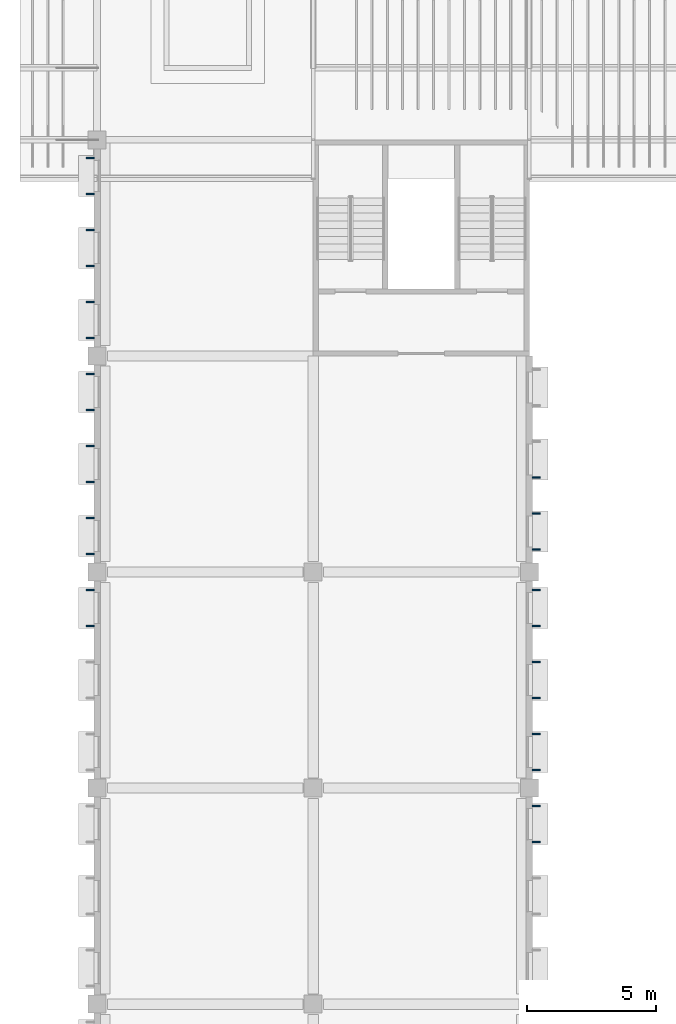
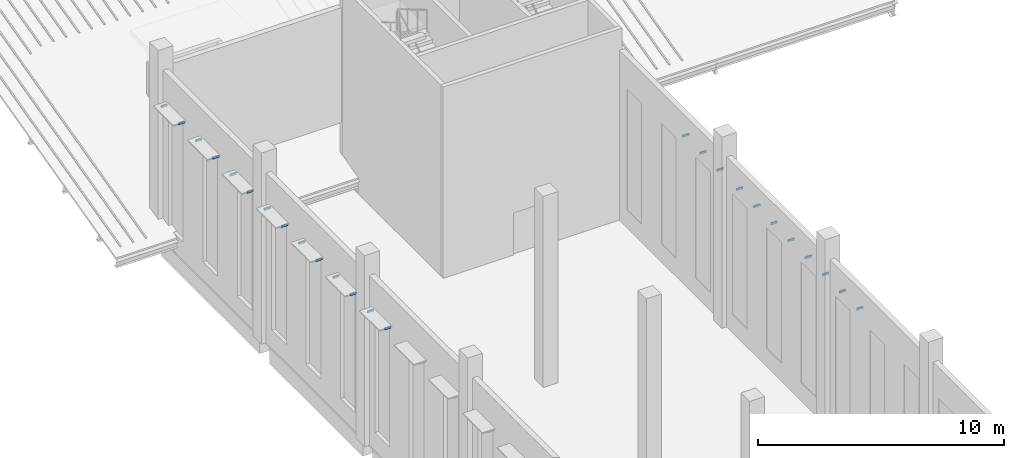
# One storey, part 63 of 114: 25 discrete accessories.
"""IFC4 building model written with IfcOpenShell, lengths in metres."""

from ifc_helpers import new_model, si_unit, direction, frame, origin, origin_2d, place, context, subcontext, project, spatial, rectangle, extrude, material, type_object, element, save


model = new_model("IFC4")

# Units and contexts
model_context = context("Model", 3, precision=1e-05, world=origin(), true_north=direction((0.0, 1.0)))
body_context = subcontext(model_context, "Body", "Model", "MODEL_VIEW")
ifc_project = project(units=[si_unit("LENGTHUNIT", "METRE"), si_unit("AREAUNIT", "SQUARE_METRE"), si_unit("VOLUMEUNIT", "CUBIC_METRE"), si_unit("PLANEANGLEUNIT", "RADIAN"), si_unit("MASSUNIT", "GRAM", prefix="KILO")], contexts=[model_context])

# Site, building, storey
site_placement = place(None, origin())
site = spatial("IfcSite", under=ifc_project, at=site_placement, CompositionType="ELEMENT")
building_placement = place(site_placement, origin())
building = spatial("IfcBuilding", under=site, at=building_placement, Name="Almond Square Museum", CompositionType="ELEMENT")
storey_placement = place(building_placement, frame((0.0, 0.0, 10.5)))
storey = spatial("IfcBuildingStorey", under=building, at=storey_placement, Name="L02", CompositionType="ELEMENT", Elevation=10.5)

# Discrete accessories
ifc_material = material(Name="Stainless steel", Category="steel")
discrete_accessory_type = type_object("IfcDiscreteAccessoryType", Name="Sun-shade blade bracket", PredefinedType="BRACKET", material=ifc_material)
for number, where, z_axis, x_axis, name in (
    (1, (23.072998046875, 48.300048828125, 6.89697265625), (0.0, 0.0, 1.0), (1.0, 0.0, 0.0), "Bracket sun-shade blade"),
    (2, (23.072998046875, 49.699951171875, 6.89697265625), (0.0, 0.0, 1.0), (1.0, 0.0, 0.0), "Bracket sun-shade blade"),
    (3, (23.072998046875, 51.10009765625, 6.89697265625), (0.0, 0.0, 1.0), (1.0, 0.0, 0.0), "Bracket sun-shade blade"),
    (4, (23.072998046875, 52.5, 6.89697265625), (0.0, 0.0, 1.0), (1.0, 0.0, 0.0), "Bracket sun-shade blade"),
    (5, (23.072998046875, 53.89990234375, 6.89697265625), (0.0, 0.0, 1.0), (1.0, 0.0, 0.0), "Bracket sun-shade blade"),
    (6, (23.072998046875, 55.300048828125, 6.89697265625), (0.0, 0.0, 1.0), (1.0, 0.0, 0.0), "Bracket sun-shade blade"),
    (7, (23.072998046875, 56.699951171875, 6.89697265625), (0.0, 0.0, 1.0), (1.0, 0.0, 0.0), "Bracket sun-shade blade"),
    (8, (23.072998046875, 58.10009765625, 6.89697265625), (0.0, 0.0, 1.0), (1.0, 0.0, 0.0), "Bracket sun-shade blade"),
    (9, (23.072998046875, 59.675048828125, 6.89697265625), (0.0, 0.0, 1.0), (1.0, 0.0, 0.0), "Bracket sun-shade blade"),
    (10, (23.072998046875, 61.074951171875, 6.89697265625), (0.0, 0.0, 1.0), (1.0, 0.0, 0.0), "Bracket sun-shade blade"),
    (11, (23.072998046875, 62.47509765625, 6.89697265625), (0.0, 0.0, 1.0), (1.0, 0.0, 0.0), "Bracket sun-shade blade"),
    (12, (5.72705078125, 67.89990234375, 6.89697265625), (0.0, 0.0, 1.0), (1.0, 0.0, 0.0), "Bracket sun-shade blade"),
    (13, (5.72705078125, 69.300048828125, 6.89697265625), (0.0, 0.0, 1.0), (1.0, 0.0, 0.0), "Bracket sun-shade blade"),
    (14, (5.72705078125, 70.699951171875, 6.89697265625), (0.0, 0.0, 1.0), (1.0, 0.0, 0.0), "Bracket sun-shade blade"),
    (15, (5.72705078125, 72.10009765625, 6.89697265625), (0.0, 0.0, 1.0), (1.0, 0.0, 0.0), "Bracket sun-shade blade"),
    (16, (5.72705078125, 73.5, 6.89697265625), (0.0, 0.0, 1.0), (1.0, 0.0, 0.0), "Bracket sun-shade blade"),
    (17, (5.72705078125, 74.89990234375, 6.89697265625), (0.0, 0.0, 1.0), (1.0, 0.0, 0.0), "Bracket sun-shade blade"),
    (18, (5.72705078125, 59.5, 6.89697265625), (0.0, 0.0, 1.0), (1.0, 0.0, 0.0), "Bracket sun-shade blade"),
    (19, (5.72705078125, 60.89990234375, 6.89697265625), (0.0, 0.0, 1.0), (1.0, 0.0, 0.0), "Bracket sun-shade blade"),
    (20, (5.72705078125, 62.300048828125, 6.89697265625), (0.0, 0.0, 1.0), (1.0, 0.0, 0.0), "Bracket sun-shade blade"),
    (21, (5.72705078125, 63.699951171875, 6.89697265625), (0.0, 0.0, 1.0), (1.0, 0.0, 0.0), "Bracket sun-shade blade"),
    (22, (5.72705078125, 65.10009765625, 6.89697265625), (0.0, 0.0, 1.0), (1.0, 0.0, 0.0), "Bracket sun-shade blade"),
    (23, (5.72705078125, 66.5, 6.89697265625), (0.0, 0.0, 1.0), (1.0, 0.0, 0.0), "Bracket sun-shade blade"),
    (24, (5.72705078125, 56.699951171875, 6.89697265625), (0.0, 0.0, 1.0), (1.0, 0.0, 0.0), "Bracket sun-shade blade"),
    (25, (5.72705078125, 58.10009765625, 6.89697265625), (0.0, 0.0, 1.0), (1.0, 0.0, 0.0), "Bracket sun-shade blade"),
):
    element("IfcDiscreteAccessory", number, at=place(storey_placement, frame(where, z_axis=z_axis, x_axis=x_axis)), inside=storey, type_object=discrete_accessory_type, Name=name, PredefinedType="BRACKET", context=body_context, shape_type="SweptSolid", body=[
        extrude(rectangle(XDim=0.300048828125, YDim=0.06005859375, at=origin_2d()), origin(), (0.0, 0.0, 1.0), 0.10009765625),
    ])

save(model, "model.ifc")
